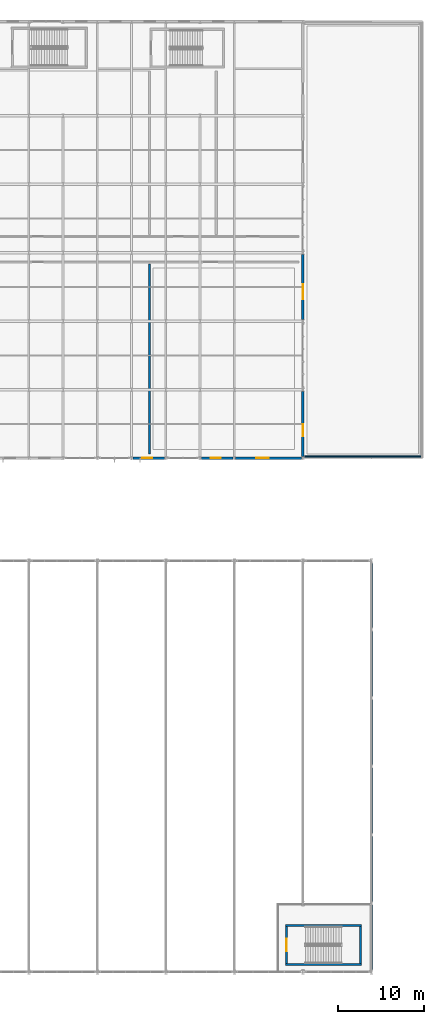
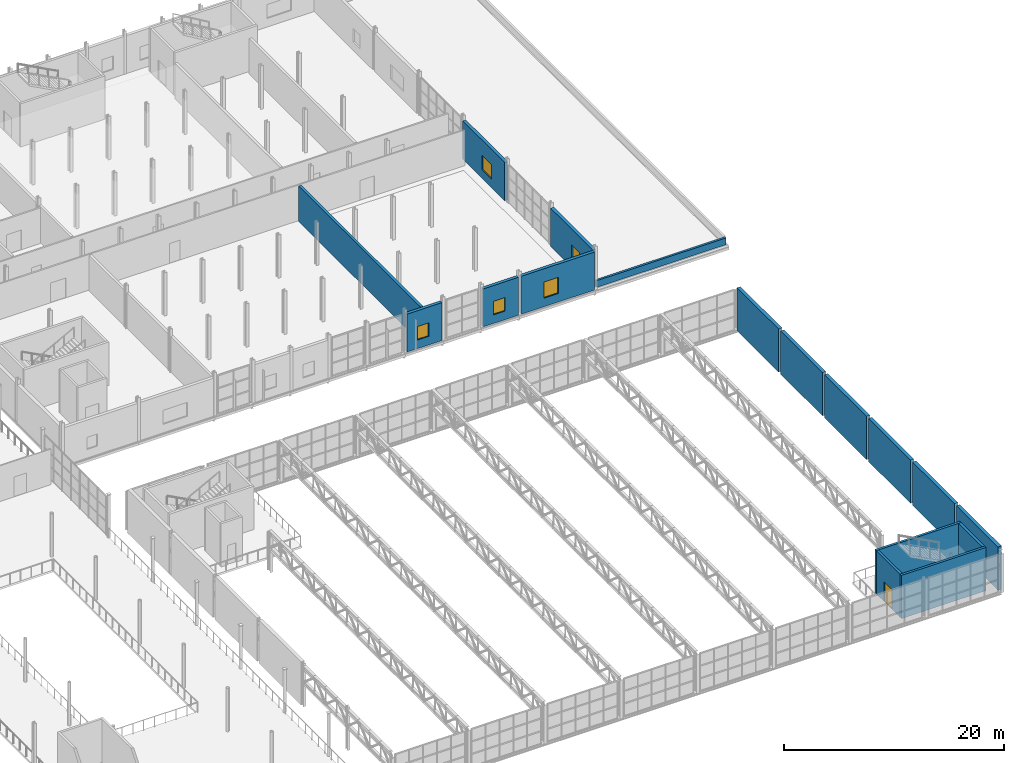
# One storey, part 127 of 143: 17 walls, 5 windows, 1 door, 6 openings.
"""IFC4 building model written with IfcOpenShell, lengths in metres."""

from ifc_helpers import new_model, si_unit, derived_unit, direction, frame, frame_2d, origin, place, context, subcontext, project, spatial, rectangle, extrude, material, layer, layer_set, type_object, element, fill, save


model = new_model("IFC4")

# Units and contexts
model_context = context("Model", 3, precision=1e-05, world=origin(), true_north=direction((0.0, 1.0)))
body_context = subcontext(model_context, "Body", "Model", "MODEL_VIEW")
ifc_project = project(units=[si_unit("LENGTHUNIT", "METRE"), si_unit("AREAUNIT", "SQUARE_METRE"), si_unit("VOLUMEUNIT", "CUBIC_METRE"), si_unit("PLANEANGLEUNIT", "RADIAN"), si_unit("MASSUNIT", "GRAM", prefix="KILO"), derived_unit("THERMALTRANSMITTANCEUNIT", [(si_unit("POWERUNIT", "WATT"), 1), (si_unit("LENGTHUNIT", "METRE"), -2), (si_unit("THERMODYNAMICTEMPERATUREUNIT", "KELVIN"), -1)])], contexts=[model_context])

# Site, building, storey
site_placement = place(None, origin())
site = spatial("IfcSite", under=ifc_project, at=site_placement, CompositionType="ELEMENT")
building_placement = place(site_placement, origin())
building = spatial("IfcBuilding", under=site, at=building_placement, Name="Keldorne Ridge Multi-Sports Centre", CompositionType="ELEMENT")
storey_placement = place(building_placement, frame((0.0, 0.0, 4.800048828125)))
storey = spatial("IfcBuildingStorey", under=building, at=storey_placement, Name="L01", CompositionType="ELEMENT", Elevation=4.800048828125)

# Walls
ifc_material_1 = material(Name="Moisture-resistant twin plumbing wall")
ifc_layer_1 = layer(ifc_material_1, 0.260009765625)
ifc_layer_set_1 = layer_set([ifc_layer_1])
wall_type_1 = type_object("IfcWallType", Name="WAL-PL-02", PredefinedType="PLUMBINGWALL", material=ifc_layer_set_1)
wall_1_placement = place(storey_placement, frame((142.10009765625, 66.5, 0.0), z_axis=(0.0, 0.0, 1.0), x_axis=(0.0, 1.0, 0.0)))
element("IfcWall", 1, at=wall_1_placement, inside=storey, type_object=wall_type_1, Name="First floor compartment wall IW-L01-049", PredefinedType="PLUMBINGWALL", context=body_context, shape_type="SweptSolid", body=[
    extrude(rectangle(XDim=22.199951171875, YDim=0.260009765625, at=frame_2d((11.10009765625, 0.0))), origin(), (0.0, 0.0, 1.0), 3.949951171875),
])
ifc_material_2 = material(Name="Precast concrete C40/50", Category="concrete")
ifc_layer_2 = layer(ifc_material_2, 0.219970703125)
ifc_layer_set_2 = layer_set([ifc_layer_2], Name="Precast concrete C40/50")
wall_type_2 = type_object("IfcWallType", Name="WAL-PP-02", PredefinedType="PARAPET", material=ifc_layer_set_2)
wall_2_placement = place(storey_placement, frame((160.199951171875, 66.199951171875, 0.0), z_axis=(0.0, 0.0, 1.0), x_axis=(1.0, 0.0, 0.0)))
element("IfcWall", 2, at=wall_2_placement, inside=storey, type_object=wall_type_2, Name="Roof parapet upstand 05", PredefinedType="PARAPET", context=body_context, shape_type="SweptSolid", body=[
    extrude(rectangle(XDim=13.60009765625, YDim=0.219970703125, at=frame_2d((6.800048828125, 0.0))), origin(), (0.0, 0.0, 1.0), 0.75),
])

# Wall, opening, window
ifc_layer_3 = layer(ifc_material_2, 0.320068359375)
ifc_layer_set_3 = layer_set([ifc_layer_3], Name="Precast concrete C40/50")
wall_type_3 = type_object("IfcWallType", Name="WAL-PR-W1", PredefinedType="STANDARD", material=ifc_layer_set_3)
wall_3_placement = place(storey_placement, frame((140.152099609375, 66.0, 0.0), z_axis=(0.0, 0.0, 1.0), x_axis=(1.0, 0.0, 0.0)))
wall_3 = element("IfcWall", 3, at=wall_3_placement, inside=storey, type_object=wall_type_3, Name="East Wing L01 south facade 8", PredefinedType="STANDARD", context=body_context, shape_type="SweptSolid", body=[
    extrude(rectangle(XDim=3.69580078125, YDim=0.320068359375, at=frame_2d((1.847900390625, 0.0))), origin(), (0.0, 0.0, 1.0), 4.21484375),
])
opening_1_placement = place(wall_3_placement, frame((1.087890625, 0.0, 0.949951171875)))
opening_1 = element("IfcOpeningElement", 4, at=opening_1_placement, cuts=wall_3, Name="Opening W-03", PredefinedType="OPENING", context=body_context, shape_type="SweptSolid", body=[
    extrude(rectangle(XDim=1.199951171875, YDim=1.5, at=frame_2d((0.60009765625, 0.75))), frame((0.0, 0.169921875, 0.0), z_axis=(0.0, -1.0, 0.0), x_axis=(1.0, 0.0, 0.0)), (0.0, 0.0, 1.0), 0.340087890625),
])
ifc_material_3 = material(Name="Anodized aluminium", Category="aluminium")
window_type_1 = type_object("IfcWindowType", Name="WIN-W-03", PartitioningType="SINGLE_PANEL", PredefinedType="WINDOW", material=ifc_material_3)
window_1_placement = place(opening_1_placement, origin())
window_1 = element("IfcWindow", 5, at=window_1_placement, inside=storey, type_object=window_type_1, Name="East Wing L01 south window W-058", OverallHeight=1.5, OverallWidth=1.199951171875, PartitioningType="SINGLE_PANEL", PredefinedType="WINDOW", context=body_context, shape_type="SweptSolid", body=[
    extrude(rectangle(XDim=1.199951171875, YDim=1.5, at=frame_2d((0.60009765625, 0.75))), frame((0.0, 0.030029296875, 0.0), z_axis=(0.0, -1.0, 0.0), x_axis=(1.0, 0.0, 0.0)), (0.0, 0.0, 1.0), 0.06005859375),
])
fill(opening_1, window_1)

wall_4_placement = place(storey_placement, frame((148.152099609375, 66.0, 0.0), z_axis=(0.0, 0.0, 1.0), x_axis=(1.0, 0.0, 0.0)))
wall_4 = element("IfcWall", 6, at=wall_4_placement, inside=storey, type_object=wall_type_3, Name="East Wing L01 south facade 10", PredefinedType="STANDARD", context=body_context, shape_type="SweptSolid", body=[
    extrude(rectangle(XDim=3.69580078125, YDim=0.320068359375, at=frame_2d((1.847900390625, 0.0))), origin(), (0.0, 0.0, 1.0), 4.21484375),
])
opening_2_placement = place(wall_4_placement, frame((1.087890625, 0.0, 0.949951171875)))
opening_2 = element("IfcOpeningElement", 7, at=opening_2_placement, cuts=wall_4, Name="Opening W-03", PredefinedType="OPENING", context=body_context, shape_type="SweptSolid", body=[
    extrude(rectangle(XDim=1.199951171875, YDim=1.5, at=frame_2d((0.60009765625, 0.75))), frame((0.0, 0.169921875, 0.0), z_axis=(0.0, -1.0, 0.0), x_axis=(1.0, 0.0, 0.0)), (0.0, 0.0, 1.0), 0.340087890625),
])
window_2_placement = place(opening_2_placement, origin())
window_2 = element("IfcWindow", 8, at=window_2_placement, inside=storey, type_object=window_type_1, Name="East Wing L01 south window W-059", OverallHeight=1.5, OverallWidth=1.199951171875, PartitioningType="SINGLE_PANEL", PredefinedType="WINDOW", context=body_context, shape_type="SweptSolid", body=[
    extrude(rectangle(XDim=1.199951171875, YDim=1.5, at=frame_2d((0.60009765625, 0.75))), frame((0.0, 0.030029296875, 0.0), z_axis=(0.0, -1.0, 0.0), x_axis=(1.0, 0.0, 0.0)), (0.0, 0.0, 1.0), 0.06005859375),
])
fill(opening_2, window_2)

wall_5_placement = place(storey_placement, frame((152.152099609375, 66.0, 0.0), z_axis=(0.0, 0.0, 1.0), x_axis=(1.0, 0.0, 0.0)))
wall_5 = element("IfcWall", 9, at=wall_5_placement, inside=storey, type_object=wall_type_3, Name="East Wing L01 south facade 11", PredefinedType="STANDARD", context=body_context, shape_type="SweptSolid", body=[
    extrude(rectangle(XDim=7.69580078125, YDim=0.320068359375, at=frame_2d((3.847900390625, 0.0))), origin(), (0.0, 0.0, 1.0), 4.21484375),
])
opening_3_placement = place(wall_5_placement, frame((2.387939453125, 0.0, 0.949951171875)))
opening_3 = element("IfcOpeningElement", 10, at=opening_3_placement, cuts=wall_5, Name="Opening W-05", PredefinedType="OPENING", context=body_context, shape_type="SweptSolid", body=[
    extrude(rectangle(XDim=1.5, YDim=1.800048828125, at=frame_2d((0.75, 0.89990234375))), frame((0.0, 0.169921875, 0.0), z_axis=(0.0, -1.0, 0.0), x_axis=(1.0, 0.0, 0.0)), (0.0, 0.0, 1.0), 0.340087890625),
])
window_type_2 = type_object("IfcWindowType", Name="WIN-W-05", PartitioningType="SINGLE_PANEL", PredefinedType="WINDOW", material=ifc_material_3)
window_3_placement = place(opening_3_placement, origin())
window_3 = element("IfcWindow", 11, at=window_3_placement, inside=storey, type_object=window_type_2, Name="East Wing L01 south window W-060", OverallHeight=1.800048828125, OverallWidth=1.5, PartitioningType="SINGLE_PANEL", PredefinedType="WINDOW", context=body_context, shape_type="SweptSolid", body=[
    extrude(rectangle(XDim=1.5, YDim=1.800048828125, at=frame_2d((0.75, 0.89990234375))), frame((0.0, 0.030029296875, 0.0), z_axis=(0.0, -1.0, 0.0), x_axis=(1.0, 0.0, 0.0)), (0.0, 0.0, 1.0), 0.06005859375),
])
fill(opening_3, window_3)

wall_6_placement = place(storey_placement, frame((160.0, 66.181884765625, 0.0), z_axis=(0.0, 0.0, 1.0), x_axis=(0.0, 1.0, 0.0)))
wall_6 = element("IfcWall", 12, at=wall_6_placement, inside=storey, type_object=wall_type_3, Name="East Wing L01 east facade 1", PredefinedType="STANDARD", context=body_context, shape_type="SweptSolid", body=[
    extrude(rectangle(XDim=7.63623046875, YDim=0.320068359375, at=frame_2d((3.818115234375, 0.0))), origin(), (0.0, 0.0, 1.0), 4.25),
])
opening_4_placement = place(wall_6_placement, frame((2.35791015625, 0.0, 0.949951171875)))
opening_4 = element("IfcOpeningElement", 13, at=opening_4_placement, cuts=wall_6, Name="Opening W-16", PredefinedType="OPENING", context=body_context, shape_type="SweptSolid", body=[
    extrude(rectangle(XDim=1.449951171875, YDim=1.550048828125, at=frame_2d((0.72509765625, 0.77490234375))), frame((0.0, 0.169921875, 0.0), z_axis=(0.0, -1.0, 0.0), x_axis=(1.0, 0.0, 0.0)), (0.0, 0.0, 1.0), 0.340087890625),
])
window_type_3 = type_object("IfcWindowType", Name="WIN-W-16", PartitioningType="SINGLE_PANEL", PredefinedType="WINDOW", material=ifc_material_3)
window_4_placement = place(opening_4_placement, origin())
window_4 = element("IfcWindow", 14, at=window_4_placement, inside=storey, type_object=window_type_3, Name="East Wing L01 east window W-069", OverallHeight=1.550048828125, OverallWidth=1.449951171875, PartitioningType="SINGLE_PANEL", PredefinedType="WINDOW", context=body_context, shape_type="SweptSolid", body=[
    extrude(rectangle(XDim=1.449951171875, YDim=1.550048828125, at=frame_2d((0.72509765625, 0.77490234375))), frame((0.0, 0.030029296875, 0.0), z_axis=(0.0, -1.0, 0.0), x_axis=(1.0, 0.0, 0.0)), (0.0, 0.0, 1.0), 0.06005859375),
])
fill(opening_4, window_4)

wall_7_placement = place(storey_placement, frame((160.0, 82.181884765625, 0.0), z_axis=(0.0, 0.0, 1.0), x_axis=(0.0, 1.0, 0.0)))
wall_7 = element("IfcWall", 15, at=wall_7_placement, inside=storey, type_object=wall_type_3, Name="East Wing L01 east facade 3", PredefinedType="STANDARD", context=body_context, shape_type="SweptSolid", body=[
    extrude(rectangle(XDim=7.63623046875, YDim=0.320068359375, at=frame_2d((3.818115234375, 0.0))), origin(), (0.0, 0.0, 1.0), 4.25),
])
opening_5_placement = place(wall_7_placement, frame((2.35791015625, 0.0, 0.949951171875)))
opening_5 = element("IfcOpeningElement", 16, at=opening_5_placement, cuts=wall_7, Name="Opening W-01", PredefinedType="OPENING", context=body_context, shape_type="SweptSolid", body=[
    extrude(rectangle(XDim=1.800048828125, YDim=1.60009765625, at=frame_2d((0.89990234375, 0.800048828125))), frame((0.0, 0.169921875, 0.0), z_axis=(0.0, -1.0, 0.0), x_axis=(1.0, 0.0, 0.0)), (0.0, 0.0, 1.0), 0.340087890625),
])
window_type_4 = type_object("IfcWindowType", Name="WIN-W-01", PartitioningType="SINGLE_PANEL", PredefinedType="WINDOW", material=ifc_material_3)
window_5_placement = place(opening_5_placement, origin())
window_5 = element("IfcWindow", 17, at=window_5_placement, inside=storey, type_object=window_type_4, Name="East Wing L01 east window W-070", OverallHeight=1.60009765625, OverallWidth=1.800048828125, PartitioningType="SINGLE_PANEL", PredefinedType="WINDOW", context=body_context, shape_type="SweptSolid", body=[
    extrude(rectangle(XDim=1.800048828125, YDim=1.60009765625, at=frame_2d((0.89990234375, 0.800048828125))), frame((0.0, 0.030029296875, 0.0), z_axis=(0.0, -1.0, 0.0), x_axis=(1.0, 0.0, 0.0)), (0.0, 0.0, 1.0), 0.06005859375),
])
fill(opening_5, window_5)

# Walls
ifc_layer_4 = layer(ifc_material_2, 0.360107421875)
ifc_layer_set_4 = layer_set([ifc_layer_4], Name="Precast concrete C40/50")
wall_type_4 = type_object("IfcWallType", Name="WAL-PR-W2", PredefinedType="STANDARD", material=ifc_layer_set_4)
wall_8_placement = place(storey_placement, frame((168.0, 6.251953125, 0.0), z_axis=(0.0, 0.0, 1.0), x_axis=(0.0, 1.0, 0.0)))
element("IfcWall", 18, at=wall_8_placement, inside=storey, type_object=wall_type_4, Name="Stacked Courts east acoustic wall L01.1", PredefinedType="STANDARD", context=body_context, shape_type="SweptSolid", body=[
    extrude(rectangle(XDim=7.566162109375, YDim=0.360107421875, at=frame_2d((3.783203125, 0.0))), origin(), (0.0, 0.0, 1.0), 4.800048828125),
])
for number, where, z_axis, x_axis, name in (
    (19, (168.0, 14.181884765625, 0.0), (0.0, 0.0, 1.0), (0.0, 1.0, 0.0), "Stacked Courts east acoustic wall L01.2"),
    (20, (168.0, 22.181884765625, 0.0), (0.0, 0.0, 1.0), (0.0, 1.0, 0.0), "Stacked Courts east acoustic wall L01.3"),
    (21, (168.0, 30.181884765625, 0.0), (0.0, 0.0, 1.0), (0.0, 1.0, 0.0), "Stacked Courts east acoustic wall L01.4"),
    (22, (168.0, 38.181884765625, 0.0), (0.0, 0.0, 1.0), (0.0, 1.0, 0.0), "Stacked Courts east acoustic wall L01.5"),
):
    element("IfcWall", number, at=place(storey_placement, frame(where, z_axis=z_axis, x_axis=x_axis)), inside=storey, type_object=wall_type_4, Name=name, PredefinedType="STANDARD", context=body_context, shape_type="SweptSolid", body=[
        extrude(rectangle(XDim=7.63623046875, YDim=0.360107421875, at=frame_2d((3.818115234375, 0.0))), origin(), (0.0, 0.0, 1.0), 4.800048828125),
    ])
wall_9_placement = place(storey_placement, frame((168.0, 46.181884765625, 0.0), z_axis=(0.0, 0.0, 1.0), x_axis=(0.0, 1.0, 0.0)))
element("IfcWall", 23, at=wall_9_placement, inside=storey, type_object=wall_type_4, Name="Stacked Courts east acoustic wall L01.6", PredefinedType="STANDARD", context=body_context, shape_type="SweptSolid", body=[
    extrude(rectangle(XDim=7.566162109375, YDim=0.360107421875, at=frame_2d((3.783203125, 0.0))), origin(), (0.0, 0.0, 1.0), 4.800048828125),
])

# Wall, opening, door
ifc_material_4 = material(Name="Concrete C40/50", Category="concrete")
ifc_layer_5 = layer(ifc_material_4, 0.25)
ifc_layer_set_5 = layer_set([ifc_layer_5], Name="Concrete C40/50")
wall_type_5 = type_object("IfcWallType", Name="WAL-SW01", PredefinedType="SHEAR", material=ifc_layer_set_5)
wall_10_placement = place(storey_placement, frame((158.074951171875, 7.0, 0.0), z_axis=(0.0, 0.0, 1.0), x_axis=(0.0, 1.0, 0.0)))
wall_10 = element("IfcWall", 24, at=wall_10_placement, inside=storey, type_object=wall_type_5, Name="Stair ST-05 shaft wall L01 NEAR", PredefinedType="SHEAR", context=body_context, shape_type="SweptSolid", body=[
    extrude(rectangle(XDim=4.300048828125, YDim=0.25, at=frame_2d((2.14990234375, 0.0))), origin(), (0.0, 0.0, 1.0), 4.800048828125),
])
opening_6_placement = place(wall_10_placement, frame((1.425048828125, 0.0, 0.0)))
opening_6 = element("IfcOpeningElement", 25, at=opening_6_placement, cuts=wall_10, Name="Opening D-05", PredefinedType="OPENING", context=body_context, shape_type="SweptSolid", body=[
    extrude(rectangle(XDim=1.449951171875, YDim=2.199951171875, at=frame_2d((0.72509765625, 1.10009765625))), frame((0.0, 0.135009765625, 0.0), z_axis=(0.0, -1.0, 0.0), x_axis=(1.0, 0.0, 0.0)), (0.0, 0.0, 1.0), 0.27001953125),
])
ifc_material_5 = material(Name="Steel fire-resisting pair", Category="steel")
door_type = type_object("IfcDoorType", Name="DR-D-05", OperationType="NOTDEFINED", PredefinedType="DOOR", material=ifc_material_5)
door_placement = place(opening_6_placement, origin())
door = element("IfcDoor", 26, at=door_placement, inside=storey, type_object=door_type, Name="Stair ST-05 L01 fire door D-025", OperationType="DOUBLE_DOOR_SINGLE_SWING", OverallHeight=2.199951171875, OverallWidth=1.449951171875, PredefinedType="DOOR", context=body_context, shape_type="SweptSolid", body=[
    extrude(rectangle(XDim=1.449951171875, YDim=2.199951171875, at=frame_2d((0.72509765625, 1.10009765625))), frame((0.0, 0.02490234375, 0.0), z_axis=(0.0, -1.0, 0.0), x_axis=(1.0, 0.0, 0.0)), (0.0, 0.0, 1.0), 0.050048828125),
])
fill(opening_6, door)

# Walls
wall_11_placement = place(storey_placement, frame((166.72509765625, 11.300048828125, 0.0), z_axis=(0.0, 0.0, 1.0), x_axis=(0.0, -1.0, 0.0)))
element("IfcWall", 27, at=wall_11_placement, inside=storey, type_object=wall_type_5, Name="Stair ST-05 shaft wall L01 FAR", PredefinedType="SHEAR", context=body_context, shape_type="SweptSolid", body=[
    extrude(rectangle(XDim=4.300048828125, YDim=0.25, at=frame_2d((2.14990234375, 0.0))), origin(), (0.0, 0.0, 1.0), 4.800048828125),
])
for number, where, z_axis, x_axis, name in (
    (28, (157.949951171875, 6.875, 0.0), (0.0, 0.0, 1.0), (1.0, 0.0, 0.0), "Stair ST-05 shaft wall L01 SOUTH"),
    (29, (166.85009765625, 11.425048828125, 0.0), (0.0, 0.0, 1.0), (-1.0, 0.0, 0.0), "Stair ST-05 shaft wall L01 NORTH"),
):
    element("IfcWall", number, at=place(storey_placement, frame(where, z_axis=z_axis, x_axis=x_axis)), inside=storey, type_object=wall_type_5, Name=name, PredefinedType="SHEAR", context=body_context, shape_type="SweptSolid", body=[
        extrude(rectangle(XDim=8.900146484375, YDim=0.25, at=frame_2d((4.4501953125, 0.0))), origin(), (0.0, 0.0, 1.0), 4.800048828125),
    ])

save(model, "model.ifc")
